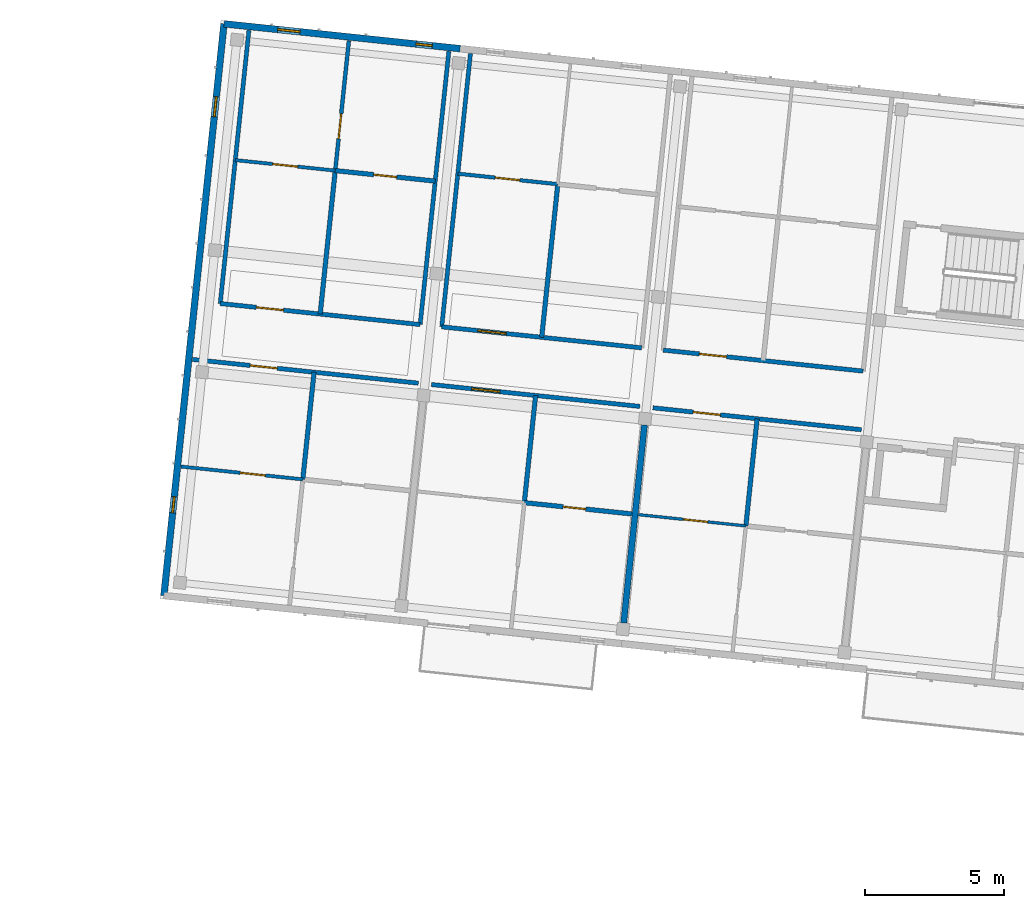
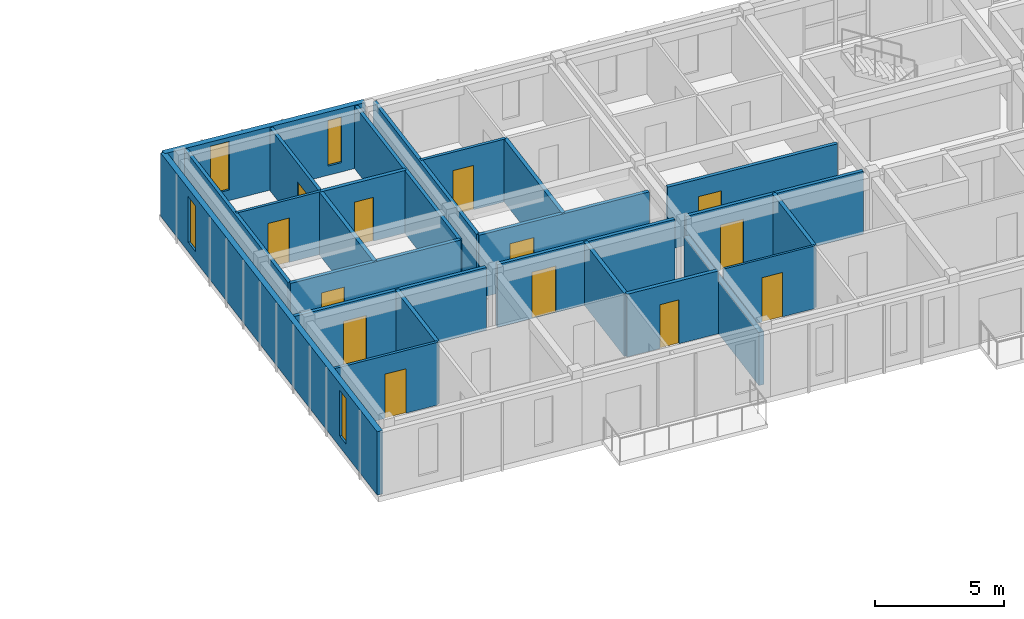
# One storey, part 30 of 64: 24 walls, 13 doors, 4 windows, 17 openings.
"""IFC4 building model written with IfcOpenShell, lengths in metres."""

from ifc_helpers import new_model, si_unit, direction, frame, frame_2d, origin, place, context, subcontext, project, spatial, rectangle, extrude, material, layer, layer_set, type_object, element, fill, save


model = new_model("IFC4")

# Units and contexts
model_context = context("Model", 3, precision=1e-05, world=origin(), true_north=direction((0.0, 1.0)))
body_context = subcontext(model_context, "Body", "Model", "MODEL_VIEW")
ifc_project = project(units=[si_unit("LENGTHUNIT", "METRE"), si_unit("AREAUNIT", "SQUARE_METRE"), si_unit("VOLUMEUNIT", "CUBIC_METRE"), si_unit("PLANEANGLEUNIT", "RADIAN"), si_unit("MASSUNIT", "GRAM", prefix="KILO")], contexts=[model_context])

# Site, building, storey
site_placement = place(None, origin())
site = spatial("IfcSite", under=ifc_project, at=site_placement, CompositionType="ELEMENT")
building_placement = place(site_placement, origin())
building = spatial("IfcBuilding", under=site, at=building_placement, Name="Kestramere Prow Commons", CompositionType="ELEMENT")
storey_placement = place(building_placement, frame((0.0, 0.0, 24.64990234375)))
storey = spatial("IfcBuildingStorey", under=building, at=storey_placement, Name="L07", CompositionType="ELEMENT", Elevation=24.64990234375)

# Wall, openings, windows
ifc_material_1 = material(Name="Fluoropolymer Standing-Seam Zinc-Aluminium Cladding", Category="aluminium")
ifc_layer_1 = layer(ifc_material_1, 0.239990234375)
ifc_layer_set_1 = layer_set([ifc_layer_1], Name="Fluoropolymer Standing-Seam Zinc-Aluminium Cladding")
wall_type_1 = type_object("IfcWallType", Name="EW-SEAM-240", PredefinedType="SOLIDWALL", material=ifc_layer_set_1)
wall_1_placement = place(storey_placement, frame((111.58154296875, 114.86962890625, 0.0), z_axis=(0.0, 0.0, 1.0), x_axis=(0.994521760736, -0.104529744196, 0.0)))
wall_1 = element("IfcWall", 1, at=wall_1_placement, inside=storey, type_object=wall_type_1, Name="Block B L07 North Standing-Seam Wall 1", PredefinedType="SOLIDWALL", context=body_context, shape_type="SweptSolid", body=[
    extrude(rectangle(XDim=8.52490234375, YDim=0.239990234375, at=frame_2d((4.262451171875, 0.0))), origin(), (0.0, 0.0, 1.0), 3.0),
])
opening_1_placement = place(wall_1_placement, frame((1.945068359375, 0.0, 0.5)))
opening_1 = element("IfcOpeningElement", 2, at=opening_1_placement, cuts=wall_1, Name="Opening WN-12", PredefinedType="OPENING", context=body_context, shape_type="SweptSolid", body=[
    extrude(rectangle(XDim=0.800048828125, YDim=2.300048828125, at=frame_2d((0.39990234375, 1.14990234375))), frame((0.0, 0.135009765625, 0.0), z_axis=(0.0, -1.0, 0.0), x_axis=(1.0, 0.0, 0.0)), (0.0, 0.0, 1.0), 0.27001953125),
])
opening_2_placement = place(wall_1_placement, frame((6.935791015625, 0.0, 0.43994140625)))
opening_2 = element("IfcOpeningElement", 3, at=opening_2_placement, cuts=wall_1, Name="Opening WN-01", PredefinedType="OPENING", context=body_context, shape_type="SweptSolid", body=[
    extrude(rectangle(XDim=0.580078125, YDim=2.159912109375, at=frame_2d((0.2900390625, 1.080078125))), frame((0.0, 0.135009765625, 0.0), z_axis=(0.0, -1.0, 0.0), x_axis=(1.0, 0.0, 0.0)), (0.0, 0.0, 1.0), 0.27001953125),
])
ifc_material_2 = material(Name="Low-E Laminated Double Glazing", Category="glass")
window_type_1 = type_object("IfcWindowType", Name="WN-NAR-580A", PartitioningType="SINGLE_PANEL", PredefinedType="WINDOW", material=ifc_material_2)
window_1_placement = place(opening_2_placement, origin())
window_1 = element("IfcWindow", 4, at=window_1_placement, inside=storey, type_object=window_type_1, Name="WN-B-L07-N-0-1", OverallHeight=2.159912109375, OverallWidth=0.580078125, PartitioningType="SINGLE_PANEL", PredefinedType="WINDOW", context=body_context, shape_type="SweptSolid", body=[
    extrude(rectangle(XDim=0.580078125, YDim=2.159912109375, at=frame_2d((0.2900390625, 1.080078125))), frame((0.0, 0.030029296875, 0.0), z_axis=(0.0, -1.0, 0.0), x_axis=(1.0, 0.0, 0.0)), (0.0, 0.0, 1.0), 0.06005859375),
])
fill(opening_2, window_1)
window_type_2 = type_object("IfcWindowType", Name="WN-NAR-800A", PartitioningType="SINGLE_PANEL", PredefinedType="WINDOW", material=ifc_material_2)
window_2_placement = place(opening_1_placement, origin())
window_2 = element("IfcWindow", 5, at=window_2_placement, inside=storey, type_object=window_type_2, Name="WN-B-L07-N-0-0", OverallHeight=2.300048828125, OverallWidth=0.800048828125, PartitioningType="SINGLE_PANEL", PredefinedType="WINDOW", context=body_context, shape_type="SweptSolid", body=[
    extrude(rectangle(XDim=0.800048828125, YDim=2.300048828125, at=frame_2d((0.39990234375, 1.14990234375))), frame((0.0, 0.030029296875, 0.0), z_axis=(0.0, -1.0, 0.0), x_axis=(1.0, 0.0, 0.0)), (0.0, 0.0, 1.0), 0.06005859375),
])
fill(opening_1, window_2)

wall_2_placement = place(storey_placement, frame((109.423095703125, 94.332763671875, 0.0), z_axis=(0.0, 0.0, 1.0), x_axis=(0.1045253859, 0.994522218808, 0.0)))
wall_2 = element("IfcWall", 6, at=wall_2_placement, inside=storey, type_object=wall_type_1, Name="Block B L07 EAV Facet Wall", PredefinedType="SOLIDWALL", context=body_context, shape_type="SweptSolid", body=[
    extrude(rectangle(XDim=20.64990234375, YDim=0.239990234375, at=frame_2d((10.324951171875, 0.0))), origin(), (0.0, 0.0, 1.0), 3.0),
])
opening_3_placement = place(wall_2_placement, frame((2.989990234375, 0.0, 0.52001953125)))
opening_3 = element("IfcOpeningElement", 7, at=opening_3_placement, cuts=wall_2, Name="Opening WN-01", PredefinedType="OPENING", context=body_context, shape_type="SweptSolid", body=[
    extrude(rectangle(XDim=0.580078125, YDim=2.159912109375, at=frame_2d((0.2900390625, 1.080078125))), frame((0.0, 0.135009765625, 0.0), z_axis=(0.0, -1.0, 0.0), x_axis=(1.0, 0.0, 0.0)), (0.0, 0.0, 1.0), 0.27001953125),
])
opening_4_placement = place(wall_2_placement, frame((17.300048828125, 0.0, 0.449951171875)))
opening_4 = element("IfcOpeningElement", 8, at=opening_4_placement, cuts=wall_2, Name="Opening WN-08", PredefinedType="OPENING", context=body_context, shape_type="SweptSolid", body=[
    extrude(rectangle(XDim=0.719970703125, YDim=2.159912109375, at=frame_2d((0.35986328125, 1.080078125))), frame((0.0, 0.135009765625, 0.0), z_axis=(0.0, -1.0, 0.0), x_axis=(1.0, 0.0, 0.0)), (0.0, 0.0, 1.0), 0.27001953125),
])
window_3_placement = place(opening_3_placement, origin())
window_3 = element("IfcWindow", 9, at=window_3_placement, inside=storey, type_object=window_type_1, Name="WN-B-L07-EAV-0", OverallHeight=2.159912109375, OverallWidth=0.580078125, PartitioningType="SINGLE_PANEL", PredefinedType="WINDOW", context=body_context, shape_type="SweptSolid", body=[
    extrude(rectangle(XDim=0.580078125, YDim=2.159912109375, at=frame_2d((0.2900390625, 1.080078125))), frame((0.0, 0.030029296875, 0.0), z_axis=(0.0, -1.0, 0.0), x_axis=(1.0, 0.0, 0.0)), (0.0, 0.0, 1.0), 0.06005859375),
])
fill(opening_3, window_3)
window_type_3 = type_object("IfcWindowType", Name="WN-NAR-720A", PartitioningType="SINGLE_PANEL", PredefinedType="WINDOW", material=ifc_material_2)
window_4_placement = place(opening_4_placement, origin())
window_4 = element("IfcWindow", 10, at=window_4_placement, inside=storey, type_object=window_type_3, Name="WN-B-L07-EAV-1", OverallHeight=2.159912109375, OverallWidth=0.719970703125, PartitioningType="SINGLE_PANEL", PredefinedType="WINDOW", context=body_context, shape_type="SweptSolid", body=[
    extrude(rectangle(XDim=0.719970703125, YDim=2.159912109375, at=frame_2d((0.35986328125, 1.080078125))), frame((0.0, 0.030029296875, 0.0), z_axis=(0.0, -1.0, 0.0), x_axis=(1.0, 0.0, 0.0)), (0.0, 0.0, 1.0), 0.06005859375),
])
fill(opening_4, window_4)

# Wall, opening, door
ifc_material_3 = material(Name="Fire-Rated Calcium Silicate Wall")
ifc_layer_2 = layer(ifc_material_3, 0.155029296875)
ifc_layer_set_2 = layer_set([ifc_layer_2], Name="Fire-Rated Calcium Silicate Wall")
wall_type_2 = type_object("IfcWallType", Name="W-FIRE-150", PredefinedType="PARTITIONING", material=ifc_layer_set_2)
wall_3_placement = place(storey_placement, frame((110.445556640625, 102.8173828125, 0.0), z_axis=(0.0, 0.0, 1.0), x_axis=(0.994520852686, -0.104538383252, 0.0)))
wall_3 = element("IfcWall", 11, at=wall_3_placement, inside=storey, type_object=wall_type_2, Name="Interior Partition PW-B-L07-CS-0", PredefinedType="PARTITIONING", context=body_context, shape_type="SweptSolid", body=[
    extrude(rectangle(XDim=8.159912109375, YDim=0.155029296875, at=frame_2d((4.080078125, 0.0))), origin(), (0.0, 0.0, 1.0), 2.97021484375),
])
opening_5_placement = place(wall_3_placement, frame((2.0849609375, 0.0, 0.0)))
opening_5 = element("IfcOpeningElement", 12, at=opening_5_placement, cuts=wall_3, Name="Opening ID-04", PredefinedType="OPENING", context=body_context, shape_type="SweptSolid", body=[
    extrude(rectangle(XDim=0.97998046875, YDim=2.14990234375, at=frame_2d((0.489990234375, 1.074951171875))), frame((0.0, 0.092529296875, 0.0), z_axis=(0.0, -1.0, 0.0), x_axis=(1.0, 0.0, 0.0)), (0.0, 0.0, 1.0), 0.18505859375),
])
ifc_material_4 = material(Name="Hardwood Fire-Rated Flat Entrance Door", Category="wood")
door_type_1 = type_object("IfcDoorType", Name="FD-ENT-01", OperationType="NOTDEFINED", PredefinedType="DOOR", material=ifc_material_4)
door_1_placement = place(opening_5_placement, origin())
door_1 = element("IfcDoor", 13, at=door_1_placement, inside=storey, type_object=door_type_1, Name="Interior Door DR-B-L07-ENT-S0", OperationType="SINGLE_SWING_RIGHT", OverallHeight=2.14990234375, OverallWidth=0.97998046875, PredefinedType="DOOR", context=body_context, shape_type="SweptSolid", body=[
    extrude(rectangle(XDim=0.97998046875, YDim=2.14990234375, at=frame_2d((0.489990234375, 1.074951171875))), frame((0.0, 0.02490234375, 0.0), z_axis=(0.0, -1.0, 0.0), x_axis=(1.0, 0.0, 0.0)), (0.0, 0.0, 1.0), 0.050048828125),
])
fill(opening_5, door_1)

wall_4_placement = place(storey_placement, frame((119.0283203125, 101.915283203125, 0.0), z_axis=(0.0, 0.0, 1.0), x_axis=(0.994521430918, -0.10453288212, 0.0)))
wall_4 = element("IfcWall", 14, at=wall_4_placement, inside=storey, type_object=wall_type_2, Name="Interior Partition PW-B-L07-CS-1", PredefinedType="PARTITIONING", context=body_context, shape_type="SweptSolid", body=[
    extrude(rectangle(XDim=7.52978515625, YDim=0.155029296875, at=frame_2d((3.764892578125, 0.0))), origin(), (0.0, 0.0, 1.0), 2.97021484375),
])
opening_6_placement = place(wall_4_placement, frame((1.455078125, 0.0, 0.0)))
opening_6 = element("IfcOpeningElement", 15, at=opening_6_placement, cuts=wall_4, Name="Opening ID-05", PredefinedType="OPENING", context=body_context, shape_type="SweptSolid", body=[
    extrude(rectangle(XDim=1.02001953125, YDim=2.199951171875, at=frame_2d((0.510009765625, 1.10009765625))), frame((0.0, 0.092529296875, 0.0), z_axis=(0.0, -1.0, 0.0), x_axis=(1.0, 0.0, 0.0)), (0.0, 0.0, 1.0), 0.18505859375),
])
door_type_2 = type_object("IfcDoorType", Name="FD-ENT-02", OperationType="NOTDEFINED", PredefinedType="DOOR", material=ifc_material_4)
door_2_placement = place(opening_6_placement, origin())
door_2 = element("IfcDoor", 16, at=door_2_placement, inside=storey, type_object=door_type_2, Name="Interior Door DR-B-L07-ENT-S1", OperationType="SINGLE_SWING_LEFT", OverallHeight=2.199951171875, OverallWidth=1.02001953125, PredefinedType="DOOR", context=body_context, shape_type="SweptSolid", body=[
    extrude(rectangle(XDim=1.02001953125, YDim=2.199951171875, at=frame_2d((0.510009765625, 1.10009765625))), frame((0.0, 0.02490234375, 0.0), z_axis=(0.0, -1.0, 0.0), x_axis=(1.0, 0.0, 0.0)), (0.0, 0.0, 1.0), 0.050048828125),
])
fill(opening_6, door_2)

wall_5_placement = place(storey_placement, frame((126.984375, 101.0791015625, 0.0), z_axis=(0.0, 0.0, 1.0), x_axis=(0.994521785195, -0.104529511491, 0.0)))
wall_5 = element("IfcWall", 17, at=wall_5_placement, inside=storey, type_object=wall_type_2, Name="Interior Partition PW-B-L07-CS-2", PredefinedType="PARTITIONING", context=body_context, shape_type="SweptSolid", body=[
    extrude(rectangle(XDim=7.530029296875, YDim=0.155029296875, at=frame_2d((3.76513671875, 0.0))), origin(), (0.0, 0.0, 1.0), 2.97021484375),
])
opening_7_placement = place(wall_5_placement, frame((1.455078125, 0.0, 0.0)))
opening_7 = element("IfcOpeningElement", 18, at=opening_7_placement, cuts=wall_5, Name="Opening ID-04", PredefinedType="OPENING", context=body_context, shape_type="SweptSolid", body=[
    extrude(rectangle(XDim=0.97998046875, YDim=2.14990234375, at=frame_2d((0.489990234375, 1.074951171875))), frame((0.0, 0.092529296875, 0.0), z_axis=(0.0, -1.0, 0.0), x_axis=(1.0, 0.0, 0.0)), (0.0, 0.0, 1.0), 0.18505859375),
])
door_3_placement = place(opening_7_placement, origin())
door_3 = element("IfcDoor", 19, at=door_3_placement, inside=storey, type_object=door_type_1, Name="Interior Door DR-B-L07-ENT-S2", OperationType="SINGLE_SWING_RIGHT", OverallHeight=2.14990234375, OverallWidth=0.97998046875, PredefinedType="DOOR", context=body_context, shape_type="SweptSolid", body=[
    extrude(rectangle(XDim=0.97998046875, YDim=2.14990234375, at=frame_2d((0.489990234375, 1.074951171875))), frame((0.0, 0.02490234375, 0.0), z_axis=(0.0, -1.0, 0.0), x_axis=(1.0, 0.0, 0.0)), (0.0, 0.0, 1.0), 0.050048828125),
])
fill(opening_7, door_3)

wall_6_placement = place(storey_placement, frame((111.44580078125, 104.82373046875, 0.0), z_axis=(0.0, 0.0, 1.0), x_axis=(0.994522671024, -0.104521083137, 0.0)))
wall_6 = element("IfcWall", 20, at=wall_6_placement, inside=storey, type_object=wall_type_2, Name="Interior Partition PW-B-L07-CN-0", PredefinedType="PARTITIONING", context=body_context, shape_type="SweptSolid", body=[
    extrude(rectangle(XDim=7.219970703125, YDim=0.155029296875, at=frame_2d((3.60986328125, 0.0))), origin(), (0.0, 0.0, 1.0), 2.97021484375),
])
opening_8_placement = place(wall_6_placement, frame((1.304931640625, 0.0, 0.0)))
opening_8 = element("IfcOpeningElement", 21, at=opening_8_placement, cuts=wall_6, Name="Opening ID-04", PredefinedType="OPENING", context=body_context, shape_type="SweptSolid", body=[
    extrude(rectangle(XDim=0.97998046875, YDim=2.14990234375, at=frame_2d((0.489990234375, 1.074951171875))), frame((0.0, 0.092529296875, 0.0), z_axis=(0.0, -1.0, 0.0), x_axis=(1.0, 0.0, 0.0)), (0.0, 0.0, 1.0), 0.18505859375),
])
door_4_placement = place(opening_8_placement, origin())
door_4 = element("IfcDoor", 22, at=door_4_placement, inside=storey, type_object=door_type_1, Name="Interior Door DR-B-L07-ENT-N0", OperationType="SINGLE_SWING_RIGHT", OverallHeight=2.14990234375, OverallWidth=0.97998046875, PredefinedType="DOOR", context=body_context, shape_type="SweptSolid", body=[
    extrude(rectangle(XDim=0.97998046875, YDim=2.14990234375, at=frame_2d((0.489990234375, 1.074951171875))), frame((0.0, 0.02490234375, 0.0), z_axis=(0.0, -1.0, 0.0), x_axis=(1.0, 0.0, 0.0)), (0.0, 0.0, 1.0), 0.050048828125),
])
fill(opening_8, door_4)

wall_7_placement = place(storey_placement, frame((119.40185546875, 103.987548828125, 0.0), z_axis=(0.0, 0.0, 1.0), x_axis=(0.994522671024, -0.104521083137, 0.0)))
wall_7 = element("IfcWall", 23, at=wall_7_placement, inside=storey, type_object=wall_type_2, Name="Interior Partition PW-B-L07-CN-1", PredefinedType="PARTITIONING", context=body_context, shape_type="SweptSolid", body=[
    extrude(rectangle(XDim=7.219970703125, YDim=0.155029296875, at=frame_2d((3.60986328125, 0.0))), origin(), (0.0, 0.0, 1.0), 2.97021484375),
])
opening_9_placement = place(wall_7_placement, frame((1.304931640625, 0.0, 0.0)))
opening_9 = element("IfcOpeningElement", 24, at=opening_9_placement, cuts=wall_7, Name="Opening ID-05", PredefinedType="OPENING", context=body_context, shape_type="SweptSolid", body=[
    extrude(rectangle(XDim=1.02001953125, YDim=2.199951171875, at=frame_2d((0.510009765625, 1.10009765625))), frame((0.0, 0.092529296875, 0.0), z_axis=(0.0, -1.0, 0.0), x_axis=(1.0, 0.0, 0.0)), (0.0, 0.0, 1.0), 0.18505859375),
])
door_5_placement = place(opening_9_placement, origin())
door_5 = element("IfcDoor", 25, at=door_5_placement, inside=storey, type_object=door_type_2, Name="Interior Door DR-B-L07-ENT-N1", OperationType="SINGLE_SWING_LEFT", OverallHeight=2.199951171875, OverallWidth=1.02001953125, PredefinedType="DOOR", context=body_context, shape_type="SweptSolid", body=[
    extrude(rectangle(XDim=1.02001953125, YDim=2.199951171875, at=frame_2d((0.510009765625, 1.10009765625))), frame((0.0, 0.02490234375, 0.0), z_axis=(0.0, -1.0, 0.0), x_axis=(1.0, 0.0, 0.0)), (0.0, 0.0, 1.0), 0.050048828125),
])
fill(opening_9, door_5)

wall_8_placement = place(storey_placement, frame((127.358154296875, 103.1513671875, 0.0), z_axis=(0.0, 0.0, 1.0), x_axis=(0.994522671024, -0.104521083137, 0.0)))
wall_8 = element("IfcWall", 26, at=wall_8_placement, inside=storey, type_object=wall_type_2, Name="Interior Partition PW-B-L07-CN-2", PredefinedType="PARTITIONING", context=body_context, shape_type="SweptSolid", body=[
    extrude(rectangle(XDim=7.219970703125, YDim=0.155029296875, at=frame_2d((3.60986328125, 0.0))), origin(), (0.0, 0.0, 1.0), 2.97021484375),
])
opening_10_placement = place(wall_8_placement, frame((1.304931640625, 0.0, 0.0)))
opening_10 = element("IfcOpeningElement", 27, at=opening_10_placement, cuts=wall_8, Name="Opening ID-04", PredefinedType="OPENING", context=body_context, shape_type="SweptSolid", body=[
    extrude(rectangle(XDim=0.97998046875, YDim=2.14990234375, at=frame_2d((0.489990234375, 1.074951171875))), frame((0.0, 0.092529296875, 0.0), z_axis=(0.0, -1.0, 0.0), x_axis=(1.0, 0.0, 0.0)), (0.0, 0.0, 1.0), 0.18505859375),
])
door_6_placement = place(opening_10_placement, origin())
door_6 = element("IfcDoor", 28, at=door_6_placement, inside=storey, type_object=door_type_1, Name="Interior Door DR-B-L07-ENT-N2", OperationType="SINGLE_SWING_RIGHT", OverallHeight=2.14990234375, OverallWidth=0.97998046875, PredefinedType="DOOR", context=body_context, shape_type="SweptSolid", body=[
    extrude(rectangle(XDim=0.97998046875, YDim=2.14990234375, at=frame_2d((0.489990234375, 1.074951171875))), frame((0.0, 0.02490234375, 0.0), z_axis=(0.0, -1.0, 0.0), x_axis=(1.0, 0.0, 0.0)), (0.0, 0.0, 1.0), 0.050048828125),
])
fill(opening_10, door_6)

ifc_material_5 = material(Name="Gypsum Acoustic Drywall")
ifc_layer_3 = layer(ifc_material_5, 0.10009765625)
ifc_layer_set_3 = layer_set([ifc_layer_3], Name="Gypsum Acoustic Drywall")
wall_type_3 = type_object("IfcWallType", Name="W-PART-100", PredefinedType="PARTITIONING", material=ifc_layer_set_3)
wall_9_placement = place(storey_placement, frame((126.46044921875, 97.24267578125, 0.0), z_axis=(0.0, 0.0, 1.0), x_axis=(0.994524375082, -0.104504867671, 0.0)))
wall_9 = element("IfcWall", 29, at=wall_9_placement, inside=storey, type_object=wall_type_3, Name="Interior Partition PW-B-L07-MIDS1-2", PredefinedType="PARTITIONING", context=body_context, shape_type="SweptSolid", body=[
    extrude(rectangle(XDim=3.885009765625, YDim=0.10009765625, at=frame_2d((1.9423828125, 0.0))), origin(), (0.0, 0.0, 1.0), 2.97021484375),
])
opening_11_placement = place(wall_9_placement, frame((1.625, 0.0, 0.0)))
opening_11 = element("IfcOpeningElement", 30, at=opening_11_placement, cuts=wall_9, Name="Opening ID-10", PredefinedType="OPENING", context=body_context, shape_type="SweptSolid", body=[
    extrude(rectangle(XDim=0.8798828125, YDim=2.10009765625, at=frame_2d((0.43994140625, 1.050048828125))), frame((0.0, 0.06494140625, 0.0), z_axis=(0.0, -1.0, 0.0), x_axis=(1.0, 0.0, 0.0)), (0.0, 0.0, 1.0), 0.130126953125),
])
ifc_material_6 = material(Name="Engineered Timber Bedroom Door", Category="wood")
door_type_3 = type_object("IfcDoorType", Name="D-RM-03", OperationType="NOTDEFINED", PredefinedType="DOOR", material=ifc_material_6)
door_7_placement = place(opening_11_placement, origin())
door_7 = element("IfcDoor", 31, at=door_7_placement, inside=storey, type_object=door_type_3, Name="Interior Door DR-B-L07-KL-S2", OperationType="SINGLE_SWING_RIGHT", OverallHeight=2.10009765625, OverallWidth=0.8798828125, PredefinedType="DOOR", context=body_context, shape_type="SweptSolid", body=[
    extrude(rectangle(XDim=0.8798828125, YDim=2.10009765625, at=frame_2d((0.43994140625, 1.050048828125))), frame((0.0, 0.02490234375, 0.0), z_axis=(0.0, -1.0, 0.0), x_axis=(1.0, 0.0, 0.0)), (0.0, 0.0, 1.0), 0.050048828125),
])
fill(opening_11, door_7)

ifc_material_7 = material(Name="Lightweight Blockwork and Plaster", Category="masonry")
ifc_layer_4 = layer(ifc_material_7, 0.1201171875)
ifc_layer_set_4 = layer_set([ifc_layer_4], Name="Lightweight Blockwork and Plaster")
wall_type_4 = type_object("IfcWallType", Name="W-PART-120", PredefinedType="PARTITIONING", material=ifc_layer_set_4)
wall_10_placement = place(storey_placement, frame((110.041015625, 98.968505859375, 0.0), z_axis=(0.0, 0.0, 1.0), x_axis=(0.99452005377, -0.104545983421, 0.0)))
wall_10 = element("IfcWall", 32, at=wall_10_placement, inside=storey, type_object=wall_type_4, Name="Interior Partition PW-B-L07-MIDS1-0", PredefinedType="PARTITIONING", context=body_context, shape_type="SweptSolid", body=[
    extrude(rectangle(XDim=4.39501953125, YDim=0.1201171875, at=frame_2d((2.197509765625, 0.0))), origin(), (0.0, 0.0, 1.0), 2.97021484375),
])
opening_12_placement = place(wall_10_placement, frame((2.135009765625, 0.0, 0.0)))
opening_12 = element("IfcOpeningElement", 33, at=opening_12_placement, cuts=wall_10, Name="Opening ID-08", PredefinedType="OPENING", context=body_context, shape_type="SweptSolid", body=[
    extrude(rectangle(XDim=0.89990234375, YDim=2.10009765625, at=frame_2d((0.449951171875, 1.050048828125))), frame((0.0, 0.074951171875, 0.0), z_axis=(0.0, -1.0, 0.0), x_axis=(1.0, 0.0, 0.0)), (0.0, 0.0, 1.0), 0.150146484375),
])
ifc_material_8 = material(Name="Engineered Timber Flush Door", Category="wood")
door_type_4 = type_object("IfcDoorType", Name="D-RM-01", OperationType="NOTDEFINED", PredefinedType="DOOR", material=ifc_material_8)
door_8_placement = place(opening_12_placement, origin())
door_8 = element("IfcDoor", 34, at=door_8_placement, inside=storey, type_object=door_type_4, Name="Interior Door DR-B-L07-KL-S0", OperationType="SINGLE_SWING_RIGHT", OverallHeight=2.10009765625, OverallWidth=0.89990234375, PredefinedType="DOOR", context=body_context, shape_type="SweptSolid", body=[
    extrude(rectangle(XDim=0.89990234375, YDim=2.10009765625, at=frame_2d((0.449951171875, 1.050048828125))), frame((0.0, 0.02490234375, 0.0), z_axis=(0.0, -1.0, 0.0), x_axis=(1.0, 0.0, 0.0)), (0.0, 0.0, 1.0), 0.050048828125),
])
fill(opening_12, door_8)

wall_11_placement = place(storey_placement, frame((111.987060546875, 109.975341796875, 0.0), z_axis=(0.0, 0.0, 1.0), x_axis=(0.994526554618, -0.104484123955, 0.0)))
wall_11 = element("IfcWall", 35, at=wall_11_placement, inside=storey, type_object=wall_type_4, Name="Interior Partition PW-B-L07-MIDN1-0", PredefinedType="PARTITIONING", context=body_context, shape_type="SweptSolid", body=[
    extrude(rectangle(XDim=3.610107421875, YDim=0.1201171875, at=frame_2d((1.80517578125, 0.0))), origin(), (0.0, 0.0, 1.0), 2.97021484375),
])
opening_13_placement = place(wall_11_placement, frame((1.35498046875, 0.0, 0.0)))
opening_13 = element("IfcOpeningElement", 36, at=opening_13_placement, cuts=wall_11, Name="Opening ID-08", PredefinedType="OPENING", context=body_context, shape_type="SweptSolid", body=[
    extrude(rectangle(XDim=0.89990234375, YDim=2.10009765625, at=frame_2d((0.449951171875, 1.050048828125))), frame((0.0, 0.074951171875, 0.0), z_axis=(0.0, -1.0, 0.0), x_axis=(1.0, 0.0, 0.0)), (0.0, 0.0, 1.0), 0.150146484375),
])
door_9_placement = place(opening_13_placement, origin())
door_9 = element("IfcDoor", 37, at=door_9_placement, inside=storey, type_object=door_type_4, Name="Interior Door DR-B-L07-KL-N0", OperationType="SINGLE_SWING_LEFT", OverallHeight=2.10009765625, OverallWidth=0.89990234375, PredefinedType="DOOR", context=body_context, shape_type="SweptSolid", body=[
    extrude(rectangle(XDim=0.89990234375, YDim=2.10009765625, at=frame_2d((0.449951171875, 1.050048828125))), frame((0.0, 0.02490234375, 0.0), z_axis=(0.0, -1.0, 0.0), x_axis=(1.0, 0.0, 0.0)), (0.0, 0.0, 1.0), 0.050048828125),
])
fill(opening_13, door_9)

ifc_layer_5 = layer(ifc_material_7, 0.1298828125)
ifc_layer_set_5 = layer_set([ifc_layer_5], Name="Lightweight Blockwork and Plaster")
wall_type_5 = type_object("IfcWallType", Name="W-PART-130", PredefinedType="PARTITIONING", material=ifc_layer_set_5)
wall_12_placement = place(storey_placement, frame((119.97998046875, 109.4873046875, 0.0), z_axis=(0.0, 0.0, 1.0), x_axis=(0.994518785821, -0.104558044398, 0.0)))
wall_12 = element("IfcWall", 38, at=wall_12_placement, inside=storey, type_object=wall_type_5, Name="Interior Partition PW-B-L07-MIDN1-1", PredefinedType="PARTITIONING", context=body_context, shape_type="SweptSolid", body=[
    extrude(rectangle(XDim=3.60986328125, YDim=0.1298828125, at=frame_2d((1.804931640625, 0.0))), origin(), (0.0, 0.0, 1.0), 2.97021484375),
])
opening_14_placement = place(wall_12_placement, frame((1.35498046875, 0.0, 0.0)))
opening_14 = element("IfcOpeningElement", 39, at=opening_14_placement, cuts=wall_12, Name="Opening ID-10", PredefinedType="OPENING", context=body_context, shape_type="SweptSolid", body=[
    extrude(rectangle(XDim=0.8798828125, YDim=2.10009765625, at=frame_2d((0.43994140625, 1.050048828125))), frame((0.0, 0.079833984375, 0.0), z_axis=(0.0, -1.0, 0.0), x_axis=(1.0, 0.0, 0.0)), (0.0, 0.0, 1.0), 0.159912109375),
])
door_10_placement = place(opening_14_placement, origin())
door_10 = element("IfcDoor", 40, at=door_10_placement, inside=storey, type_object=door_type_3, Name="Interior Door DR-B-L07-KL-N1", OperationType="SINGLE_SWING_LEFT", OverallHeight=2.10009765625, OverallWidth=0.8798828125, PredefinedType="DOOR", context=body_context, shape_type="SweptSolid", body=[
    extrude(rectangle(XDim=0.8798828125, YDim=2.10009765625, at=frame_2d((0.43994140625, 1.050048828125))), frame((0.0, 0.02490234375, 0.0), z_axis=(0.0, -1.0, 0.0), x_axis=(1.0, 0.0, 0.0)), (0.0, 0.0, 1.0), 0.050048828125),
])
fill(opening_14, door_10)

ifc_material_9 = material(Name="Masonry Compartment Wall", Category="masonry")
ifc_layer_6 = layer(ifc_material_9, 0.139892578125)
ifc_layer_set_6 = layer_set([ifc_layer_6], Name="Masonry Compartment Wall")
wall_type_6 = type_object("IfcWallType", Name="W-PART-140", PredefinedType="PARTITIONING", material=ifc_layer_set_6)
wall_13_placement = place(storey_placement, frame((115.577392578125, 109.59814453125, 0.0), z_axis=(0.0, 0.0, 1.0), x_axis=(0.104527618124, 0.994521984196, 0.0)))
wall_13 = element("IfcWall", 41, at=wall_13_placement, inside=storey, type_object=wall_type_6, Name="Interior Partition PW-B-L07-LB-N0", PredefinedType="PARTITIONING", context=body_context, shape_type="SweptSolid", body=[
    extrude(rectangle(XDim=4.68994140625, YDim=0.139892578125, at=frame_2d((2.344970703125, 0.0))), origin(), (0.0, 0.0, 1.0), 2.97021484375),
])
opening_15_placement = place(wall_13_placement, frame((1.14990234375, 0.0, 0.0)))
opening_15 = element("IfcOpeningElement", 42, at=opening_15_placement, cuts=wall_13, Name="Opening ID-08", PredefinedType="OPENING", context=body_context, shape_type="SweptSolid", body=[
    extrude(rectangle(XDim=0.89990234375, YDim=2.10009765625, at=frame_2d((0.449951171875, 1.050048828125))), frame((0.0, 0.0849609375, 0.0), z_axis=(0.0, -1.0, 0.0), x_axis=(1.0, 0.0, 0.0)), (0.0, 0.0, 1.0), 0.169921875),
])
door_11_placement = place(opening_15_placement, origin())
door_11 = element("IfcDoor", 43, at=door_11_placement, inside=storey, type_object=door_type_4, Name="Interior Door DR-B-L07-BED-N0", OperationType="SINGLE_SWING_LEFT", OverallHeight=2.10009765625, OverallWidth=0.89990234375, PredefinedType="DOOR", context=body_context, shape_type="SweptSolid", body=[
    extrude(rectangle(XDim=0.89990234375, YDim=2.10009765625, at=frame_2d((0.449951171875, 1.050048828125))), frame((0.0, 0.02490234375, 0.0), z_axis=(0.0, -1.0, 0.0), x_axis=(1.0, 0.0, 0.0)), (0.0, 0.0, 1.0), 0.050048828125),
])
fill(opening_15, door_11)

# Walls
ifc_layer_7 = layer(ifc_material_9, 0.14990234375)
ifc_layer_set_7 = layer_set([ifc_layer_7], Name="Masonry Compartment Wall")
wall_type_7 = type_object("IfcWallType", Name="W-PART-150", PredefinedType="PARTITIONING", material=ifc_layer_set_7)
for number, where, z_axis, x_axis, name in (
    (44, (111.44580078125, 104.82373046875, 0.0), (0.0, 0.0, 1.0), (0.104508379977, 0.994524006002, 0.0), "Interior Partition PW-B-L07-NWL-0"),
    (45, (118.626220703125, 104.069091796875, 0.0), (0.0, 0.0, 1.0), (0.104508379977, 0.994524006002, 0.0), "Interior Partition PW-B-L07-NWR-0"),
    (46, (119.40185546875, 103.987548828125, 0.0), (0.0, 0.0, 1.0), (0.10453284543, 0.994521434775, 0.0), "Interior Partition PW-B-L07-NWL-1"),
):
    element("IfcWall", number, at=place(storey_placement, frame(where, z_axis=z_axis, x_axis=x_axis)), inside=storey, type_object=wall_type_7, Name=name, PredefinedType="PARTITIONING", context=body_context, shape_type="SweptSolid", body=[
        extrude(rectangle(XDim=9.869873046875, YDim=0.14990234375, at=frame_2d((4.93505859375, 0.0))), origin(), (0.0, 0.0, 1.0), 2.97021484375),
    ])
ifc_material_10 = material(Name="Waterproof Sanitary Masonry Wall", Category="masonry")
ifc_layer_8 = layer(ifc_material_10, 0.1650390625)
ifc_layer_set_8 = layer_set([ifc_layer_8], Name="Waterproof Sanitary Masonry Wall")
wall_type_8 = type_object("IfcWallType", Name="W-PLUMB-150", PredefinedType="PLUMBINGWALL", material=ifc_layer_set_8)
wall_14_placement = place(storey_placement, frame((114.411865234375, 98.509033203125, 0.0), z_axis=(0.0, 0.0, 1.0), x_axis=(0.104530443122, 0.994521687275, 0.0)))
element("IfcWall", 47, at=wall_14_placement, inside=storey, type_object=wall_type_8, Name="Interior Partition PW-B-L07-KB-S0", PredefinedType="PLUMBINGWALL", context=body_context, shape_type="SweptSolid", body=[
    extrude(rectangle(XDim=3.8701171875, YDim=0.1650390625, at=frame_2d((1.93505859375, 0.0))), origin(), (0.0, 0.0, 1.0), 2.97021484375),
])

# Wall, opening, door
wall_15_placement = place(storey_placement, frame((122.3681640625, 97.6728515625, 0.0), z_axis=(0.0, 0.0, 1.0), x_axis=(0.994523688713, -0.104511399326, 0.0)))
wall_15 = element("IfcWall", 48, at=wall_15_placement, inside=storey, type_object=wall_type_8, Name="Interior Partition PW-B-L07-MIDS2-1", PredefinedType="PLUMBINGWALL", context=body_context, shape_type="SweptSolid", body=[
    extrude(rectangle(XDim=3.884765625, YDim=0.1650390625, at=frame_2d((1.9423828125, 0.0))), origin(), (0.0, 0.0, 1.0), 2.97021484375),
])
opening_16_placement = place(wall_15_placement, frame((1.39990234375, 0.0, 0.0)))
opening_16 = element("IfcOpeningElement", 49, at=opening_16_placement, cuts=wall_15, Name="Opening ID-11", PredefinedType="OPENING", context=body_context, shape_type="SweptSolid", body=[
    extrude(rectangle(XDim=0.820068359375, YDim=2.080078125, at=frame_2d((0.41015625, 1.0400390625))), frame((0.0, 0.097412109375, 0.0), z_axis=(0.0, -1.0, 0.0), x_axis=(1.0, 0.0, 0.0)), (0.0, 0.0, 1.0), 0.195068359375),
])
ifc_material_11 = material(Name="Moisture-Resistant Timber Bathroom Door", Category="wood")
door_type_5 = type_object("IfcDoorType", Name="D-BT-01", OperationType="NOTDEFINED", PredefinedType="DOOR", material=ifc_material_11)
door_12_placement = place(opening_16_placement, origin())
door_12 = element("IfcDoor", 50, at=door_12_placement, inside=storey, type_object=door_type_5, Name="Interior Door DR-B-L07-BTH-S1", OperationType="SINGLE_SWING_LEFT", OverallHeight=2.080078125, OverallWidth=0.820068359375, PredefinedType="DOOR", context=body_context, shape_type="SweptSolid", body=[
    extrude(rectangle(XDim=0.820068359375, YDim=2.080078125, at=frame_2d((0.41015625, 1.0400390625))), frame((0.0, 0.02490234375, 0.0), z_axis=(0.0, -1.0, 0.0), x_axis=(1.0, 0.0, 0.0)), (0.0, 0.0, 1.0), 0.050048828125),
])
fill(opening_16, door_12)

# Walls
for number, where, z_axis, x_axis, name in (
    (51, (122.3681640625, 97.6728515625, 0.0), (0.0, 0.0, 1.0), (0.104468047647, 0.994528243451, 0.0), "Interior Partition PW-B-L07-KB-S1"),
    (52, (130.32421875, 96.836669921875, 0.0), (0.0, 0.0, 1.0), (0.104530443122, 0.994521687275, 0.0), "Interior Partition PW-B-L07-KB-S2"),
):
    element("IfcWall", number, at=place(storey_placement, frame(where, z_axis=z_axis, x_axis=x_axis)), inside=storey, type_object=wall_type_8, Name=name, PredefinedType="PLUMBINGWALL", context=body_context, shape_type="SweptSolid", body=[
        extrude(rectangle(XDim=3.8701171875, YDim=0.1650390625, at=frame_2d((1.93505859375, 0.0))), origin(), (0.0, 0.0, 1.0), 2.97021484375),
    ])

# Wall, opening, door
wall_16_placement = place(storey_placement, frame((115.577392578125, 109.59814453125, 0.0), z_axis=(0.0, 0.0, 1.0), x_axis=(0.994518785821, -0.104558044398, 0.0)))
wall_16 = element("IfcWall", 53, at=wall_16_placement, inside=storey, type_object=wall_type_8, Name="Interior Partition PW-B-L07-MIDN2-0", PredefinedType="PLUMBINGWALL", context=body_context, shape_type="SweptSolid", body=[
    extrude(rectangle(XDim=3.60986328125, YDim=0.1650390625, at=frame_2d((1.804931640625, 0.0))), origin(), (0.0, 0.0, 1.0), 2.97021484375),
])
opening_17_placement = place(wall_16_placement, frame((1.39501953125, 0.0, 0.0)))
opening_17 = element("IfcOpeningElement", 54, at=opening_17_placement, cuts=wall_16, Name="Opening ID-11", PredefinedType="OPENING", context=body_context, shape_type="SweptSolid", body=[
    extrude(rectangle(XDim=0.820068359375, YDim=2.080078125, at=frame_2d((0.41015625, 1.0400390625))), frame((0.0, 0.097412109375, 0.0), z_axis=(0.0, -1.0, 0.0), x_axis=(1.0, 0.0, 0.0)), (0.0, 0.0, 1.0), 0.195068359375),
])
door_13_placement = place(opening_17_placement, origin())
door_13 = element("IfcDoor", 55, at=door_13_placement, inside=storey, type_object=door_type_5, Name="Interior Door DR-B-L07-BTH-N0", OperationType="SINGLE_SWING_RIGHT", OverallHeight=2.080078125, OverallWidth=0.820068359375, PredefinedType="DOOR", context=body_context, shape_type="SweptSolid", body=[
    extrude(rectangle(XDim=0.820068359375, YDim=2.080078125, at=frame_2d((0.41015625, 1.0400390625))), frame((0.0, 0.02490234375, 0.0), z_axis=(0.0, -1.0, 0.0), x_axis=(1.0, 0.0, 0.0)), (0.0, 0.0, 1.0), 0.050048828125),
])
fill(opening_17, door_13)

# Walls
wall_17_placement = place(storey_placement, frame((115.035888671875, 104.446533203125, 0.0), z_axis=(0.0, 0.0, 1.0), x_axis=(0.104537578263, 0.994520937301, 0.0)))
element("IfcWall", 56, at=wall_17_placement, inside=storey, type_object=wall_type_8, Name="Interior Partition PW-B-L07-KB-N0", PredefinedType="PLUMBINGWALL", context=body_context, shape_type="SweptSolid", body=[
    extrude(rectangle(XDim=5.179931640625, YDim=0.1650390625, at=frame_2d((2.58984375, 0.0))), origin(), (0.0, 0.0, 1.0), 2.97021484375),
])
wall_18_placement = place(storey_placement, frame((122.9921875, 103.610107421875, 0.0), z_axis=(0.0, 0.0, 1.0), x_axis=(0.104498634796, 0.994525030015, 0.0)))
element("IfcWall", 57, at=wall_18_placement, inside=storey, type_object=wall_type_8, Name="Interior Partition PW-B-L07-KB-N1", PredefinedType="PLUMBINGWALL", context=body_context, shape_type="SweptSolid", body=[
    extrude(rectangle(XDim=5.530029296875, YDim=0.1650390625, at=frame_2d((2.76513671875, 0.0))), origin(), (0.0, 0.0, 1.0), 2.97021484375),
])
ifc_material_12 = material(Name="Precast concrete C40/50", Category="concrete")
ifc_layer_9 = layer(ifc_material_12, 0.219970703125)
ifc_layer_set_9 = layer_set([ifc_layer_9], Name="Precast concrete C40/50")
wall_type_9 = type_object("IfcWallType", Name="W-XWALL-220", PredefinedType="SHEAR", material=ifc_layer_set_9)
wall_19_placement = place(storey_placement, frame((125.935791015625, 93.351318359375, 0.0), z_axis=(0.0, 0.0, 1.0), x_axis=(0.104553253602, 0.994519289487, 0.0)))
element("IfcWall", 58, at=wall_19_placement, inside=storey, type_object=wall_type_9, Name="Block B L07 Precast Cross-Wall 2", PredefinedType="SHEAR", context=body_context, shape_type="SweptSolid", body=[
    extrude(rectangle(XDim=7.150146484375, YDim=0.219970703125, at=frame_2d((3.5751953125, 0.0))), origin(), (0.0, 0.0, 1.0), 2.5),
])

save(model, "model.ifc")
